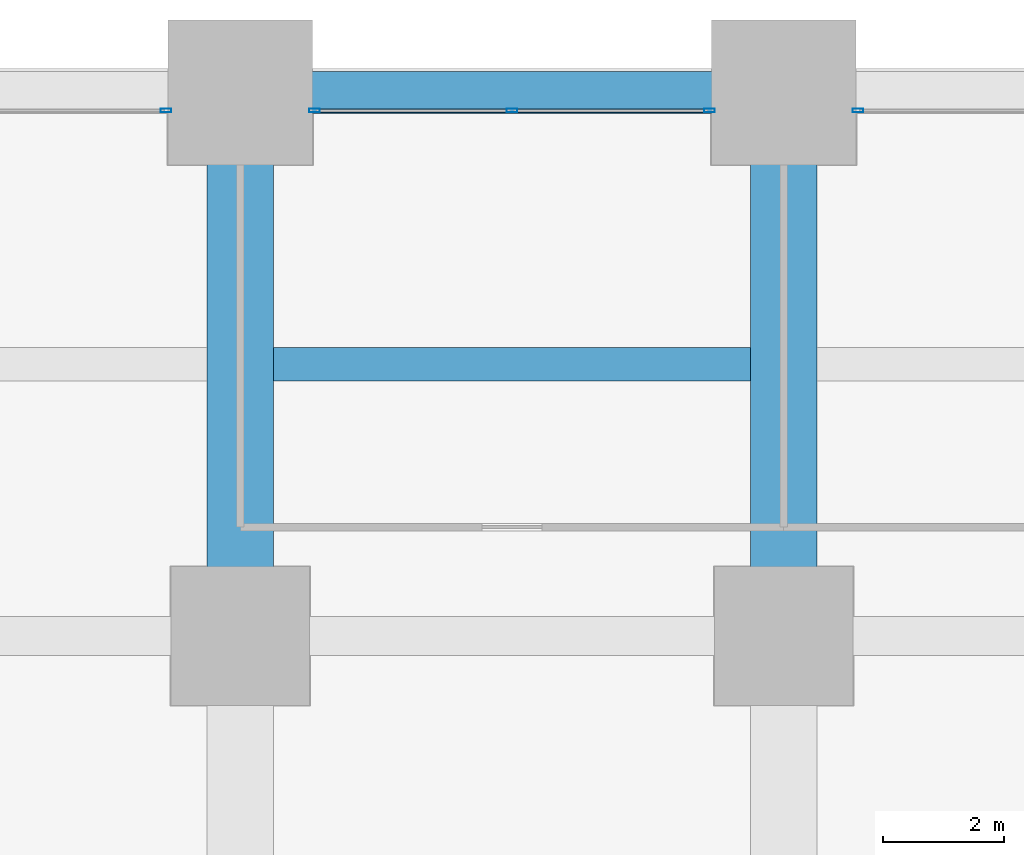
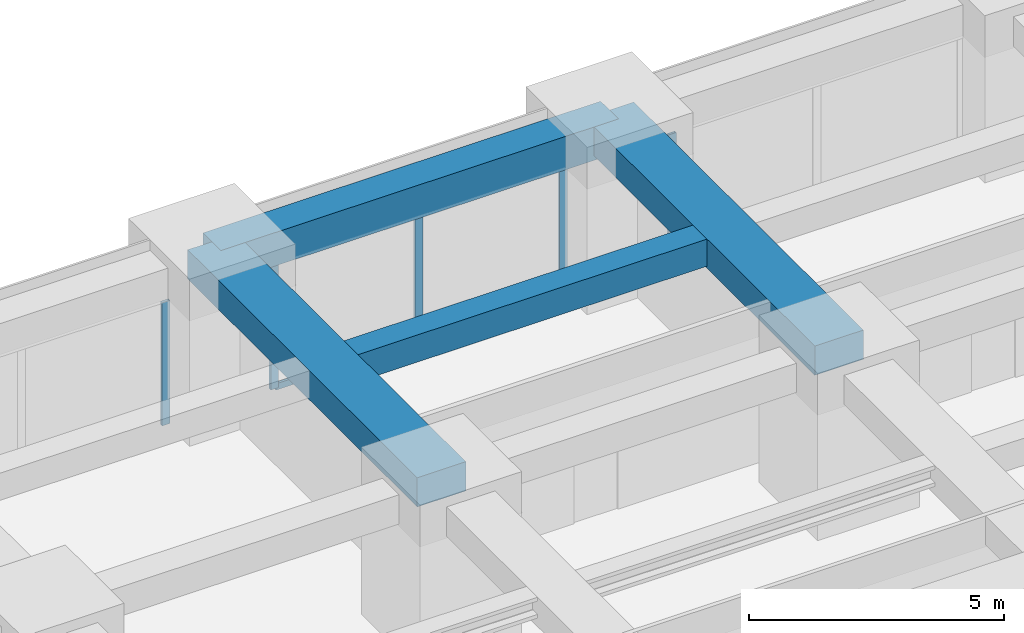
# One storey, part 35 of 45: 6 members, 4 beams, 3 elements without a shape of their own.
"""IFC4 building model written with IfcOpenShell, lengths in metres."""

from ifc_helpers import new_model, si_unit, direction, frame, origin, origin_2d, place, context, subcontext, project, spatial, rectangle, hollow_rectangle, extrude, material, material_profile, profile_set, type_object, element, aggregate, save


model = new_model("IFC4")

# Units and contexts
model_context = context("Model", 3, precision=1e-05, world=origin(), true_north=direction((0.0, 1.0)))
body_context = subcontext(model_context, "Body", "Model", "MODEL_VIEW")
ifc_project = project(units=[si_unit("LENGTHUNIT", "METRE"), si_unit("AREAUNIT", "SQUARE_METRE"), si_unit("VOLUMEUNIT", "CUBIC_METRE"), si_unit("PLANEANGLEUNIT", "RADIAN"), si_unit("MASSUNIT", "GRAM", prefix="KILO")], contexts=[model_context])

# Site, building, storey
site_placement = place(None, origin())
site = spatial("IfcSite", under=ifc_project, at=site_placement, CompositionType="ELEMENT")
building_placement = place(site_placement, origin())
building = spatial("IfcBuilding", under=site, at=building_placement, Name="Zorevar Civic Tower", CompositionType="ELEMENT")
storey_placement = place(building_placement, frame((0.0, 0.0, 27.800048828125)))
storey = spatial("IfcBuildingStorey", under=building, at=storey_placement, Name="L06", CompositionType="ELEMENT", Elevation=27.800048828125)

# Beams
ifc_material_1 = material(Name="Concrete C50/60", Category="concrete")
ifc_material_profile_1 = material_profile(ifc_material_1, rectangle(XDim=1.10009765625, YDim=0.699951171875, at=origin_2d()), Name="RC 1100x700")
ifc_profile_set_1 = profile_set([ifc_material_profile_1], Name="Concrete C50/60")
beam_type_1 = type_object("IfcBeamType", Name="Beam RC 1100x700", PredefinedType="BEAM", material=ifc_profile_set_1)
for number, where, z_axis, x_axis, name in (
    (1, (36.0, 45.0, 3.39990234375), (0.0, 1.0, 0.0), (-1.0, 0.0, 0.0), "Girder L07"),
    (2, (45.0, 45.0, 3.39990234375), (0.0, 1.0, 0.0), (-1.0, 0.0, 0.0), "Girder L07"),
):
    element("IfcBeam", number, at=place(storey_placement, frame(where, z_axis=z_axis, x_axis=x_axis)), inside=storey, type_object=beam_type_1, Name=name, PredefinedType="BEAM", context=body_context, shape_type="SweptSolid", body=[
        extrude(rectangle(XDim=1.10009765625, YDim=0.699951171875, at=origin_2d()), origin(), (0.0, 0.0, 1.0), 9.0),
    ])
ifc_material_2 = material(Name="Concrete C50/60", Category="concrete")
ifc_material_profile_2 = material_profile(ifc_material_2, rectangle(XDim=0.550048828125, YDim=0.64990234375, at=origin_2d()), Name="RC 550x650")
ifc_profile_set_2 = profile_set([ifc_material_profile_2], Name="Concrete C50/60")
beam_type_2 = type_object("IfcBeamType", Name="Beam RC 550x650", PredefinedType="BEAM", material=ifc_profile_set_2)
beam_1_placement = place(storey_placement, frame((36.550048828125, 49.5, 3.425048828125), z_axis=(1.0, 0.0, 0.0), x_axis=(0.0, 1.0, 0.0)))
element("IfcBeam", 3, at=beam_1_placement, inside=storey, type_object=beam_type_2, Name="Secondary beam L07", PredefinedType="BEAM", context=body_context, shape_type="SweptSolid", body=[
    extrude(rectangle(XDim=0.550048828125, YDim=0.64990234375, at=origin_2d()), origin(), (0.0, 0.0, 1.0), 7.89990234375),
])

# Curtain wall, member
ifc_material_3 = material(Name="Dark grey solar-control glass in black aluminium frame", Category="aluminium")
curtain_wall_type = type_object("IfcCurtainWallType", Name="Curtain wall CW2 low zone", PredefinedType="NOTDEFINED", material=ifc_material_3)
curtain_wall_1_placement = place(storey_placement, origin())
curtain_wall_1 = element("IfcCurtainWall", 4, at=curtain_wall_1_placement, inside=storey, type_object=curtain_wall_type, Name="CW2 L06", PredefinedType="NOTDEFINED")
ifc_material_4 = material(Name="Aluminium, black anodised", Category="aluminium")
ifc_material_profile_3 = material_profile(ifc_material_4, hollow_rectangle(XDim=0.06005859375, YDim=0.179931640625, WallThickness=0.00390625, at=origin_2d()), Name="AL 180x60x4")
ifc_profile_set_3 = profile_set([ifc_material_profile_3], Name="Aluminium, black anodised")
member_type_1 = type_object("IfcMemberType", Name="CW2 mullion AL 180x60x4", PredefinedType="MULLION", material=ifc_profile_set_3)
member_1_placement = place(storey_placement, frame((34.77001953125, 53.699951171875, 0.0), z_axis=(0.0, 0.0, 1.0), x_axis=(0.0, 1.0, 0.0)))
member_1 = element("IfcMember", 5, at=member_1_placement, type_object=member_type_1, Name="CW2 mullion 3", PredefinedType="MULLION", context=body_context, shape_type="SweptSolid", body=[
    extrude(hollow_rectangle(XDim=0.06005859375, YDim=0.179931640625, WallThickness=0.00390625, at=origin_2d()), origin(), (0.0, 0.0, 1.0), 2.949951171875),
])
aggregate(curtain_wall_1, [member_1])

# Curtain wall, members
curtain_wall_2_placement = place(storey_placement, origin())
curtain_wall_2 = element("IfcCurtainWall", 6, at=curtain_wall_2_placement, inside=storey, type_object=curtain_wall_type, Name="CW2 L06", PredefinedType="NOTDEFINED")
member_2_placement = place(storey_placement, frame((37.22998046875, 53.699951171875, 0.0), z_axis=(0.0, 0.0, 1.0), x_axis=(0.0, 1.0, 0.0)))
member_2 = element("IfcMember", 7, at=member_2_placement, type_object=member_type_1, Name="CW2 mullion 1", PredefinedType="MULLION", context=body_context, shape_type="SweptSolid", body=[
    extrude(hollow_rectangle(XDim=0.06005859375, YDim=0.179931640625, WallThickness=0.00390625, at=origin_2d()), origin(), (0.0, 0.0, 1.0), 2.949951171875),
])
member_3_placement = place(storey_placement, frame((40.5, 53.699951171875, 0.06005859375), z_axis=(0.0, 0.0, 1.0), x_axis=(0.0, 1.0, 0.0)))
member_3 = element("IfcMember", 8, at=member_3_placement, type_object=member_type_1, Name="CW2 mullion 2", PredefinedType="MULLION", context=body_context, shape_type="SweptSolid", body=[
    extrude(hollow_rectangle(XDim=0.06005859375, YDim=0.179931640625, WallThickness=0.00390625, at=origin_2d()), origin(), (0.0, 0.0, 1.0), 2.889892578125),
])
member_4_placement = place(storey_placement, frame((43.77001953125, 53.699951171875, 0.0), z_axis=(0.0, 0.0, 1.0), x_axis=(0.0, 1.0, 0.0)))
member_4 = element("IfcMember", 9, at=member_4_placement, type_object=member_type_1, Name="CW2 mullion 3", PredefinedType="MULLION", context=body_context, shape_type="SweptSolid", body=[
    extrude(hollow_rectangle(XDim=0.06005859375, YDim=0.179931640625, WallThickness=0.00390625, at=origin_2d()), origin(), (0.0, 0.0, 1.0), 2.949951171875),
])

# Curtain wall, member
curtain_wall_3_placement = place(storey_placement, origin())
curtain_wall_3 = element("IfcCurtainWall", 10, at=curtain_wall_3_placement, inside=storey, type_object=curtain_wall_type, Name="CW2 L06", PredefinedType="NOTDEFINED")
member_5_placement = place(storey_placement, frame((46.22998046875, 53.699951171875, 0.0), z_axis=(0.0, 0.0, 1.0), x_axis=(0.0, 1.0, 0.0)))
member_5 = element("IfcMember", 11, at=member_5_placement, type_object=member_type_1, Name="CW2 mullion 1", PredefinedType="MULLION", context=body_context, shape_type="SweptSolid", body=[
    extrude(hollow_rectangle(XDim=0.06005859375, YDim=0.179931640625, WallThickness=0.00390625, at=origin_2d()), origin(), (0.0, 0.0, 1.0), 2.949951171875),
])
aggregate(curtain_wall_3, [member_5])

# Member
ifc_material_5 = material(Name="Aluminium, black anodised", Category="aluminium")
ifc_material_profile_4 = material_profile(ifc_material_5, hollow_rectangle(XDim=0.06005859375, YDim=0.14990234375, WallThickness=0.00390625, at=origin_2d()), Name="AL 150x60x4")
ifc_profile_set_4 = profile_set([ifc_material_profile_4], Name="Aluminium, black anodised")
member_type_2 = type_object("IfcMemberType", Name="CW2 transom AL 150x60x4", PredefinedType="USERDEFINED", material=ifc_profile_set_4)
member_6_placement = place(storey_placement, frame((37.260009765625, 53.699951171875, 0.030029296875), z_axis=(1.0, 0.0, 0.0), x_axis=(0.0, 1.0, 0.0)))
member_6 = element("IfcMember", 12, at=member_6_placement, type_object=member_type_2, Name="CW2 sill transom", ObjectType="TRANSOM", PredefinedType="USERDEFINED", context=body_context, shape_type="SweptSolid", body=[
    extrude(hollow_rectangle(XDim=0.06005859375, YDim=0.14990234375, WallThickness=0.00390625, at=origin_2d()), origin(), (0.0, 0.0, 1.0), 6.47998046875),
])

aggregate(curtain_wall_2, [member_2, member_3, member_4, member_6])

# Beam
ifc_material_6 = material(Name="Concrete C50/60", Category="concrete")
ifc_material_profile_5 = material_profile(ifc_material_6, rectangle(XDim=0.699951171875, YDim=0.800048828125, at=origin_2d()), Name="RC 700x800")
ifc_profile_set_5 = profile_set([ifc_material_profile_5], Name="Concrete C50/60")
beam_type_3 = type_object("IfcBeamType", Name="Edge beam RC 700x800", PredefinedType="SPANDREL", material=ifc_profile_set_5)
beam_2_placement = place(storey_placement, frame((36.0, 54.0, 3.349853515625), z_axis=(1.0, 0.0, 0.0), x_axis=(0.0, 1.0, 0.0)))
element("IfcBeam", 13, at=beam_2_placement, inside=storey, type_object=beam_type_3, Name="Edge beam L07", PredefinedType="SPANDREL", context=body_context, shape_type="SweptSolid", body=[
    extrude(rectangle(XDim=0.699951171875, YDim=0.800048828125, at=origin_2d()), origin(), (0.0, 0.0, 1.0), 9.0),
])

save(model, "model.ifc")
